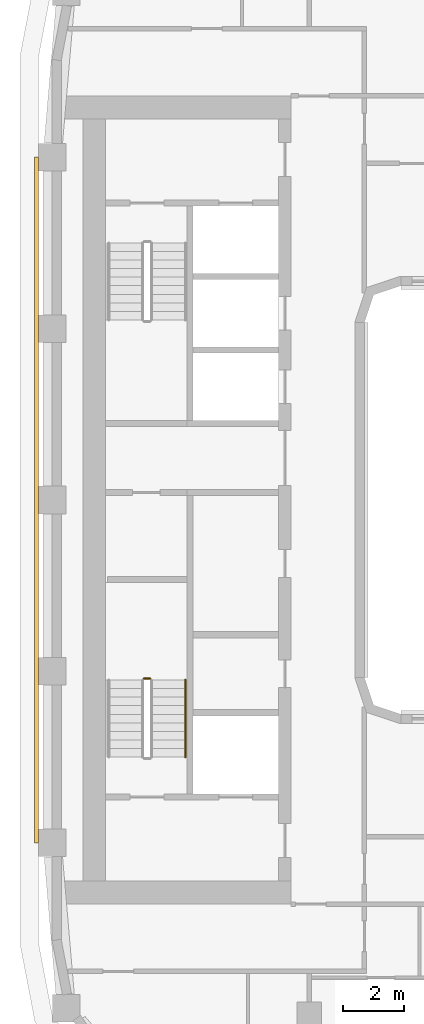
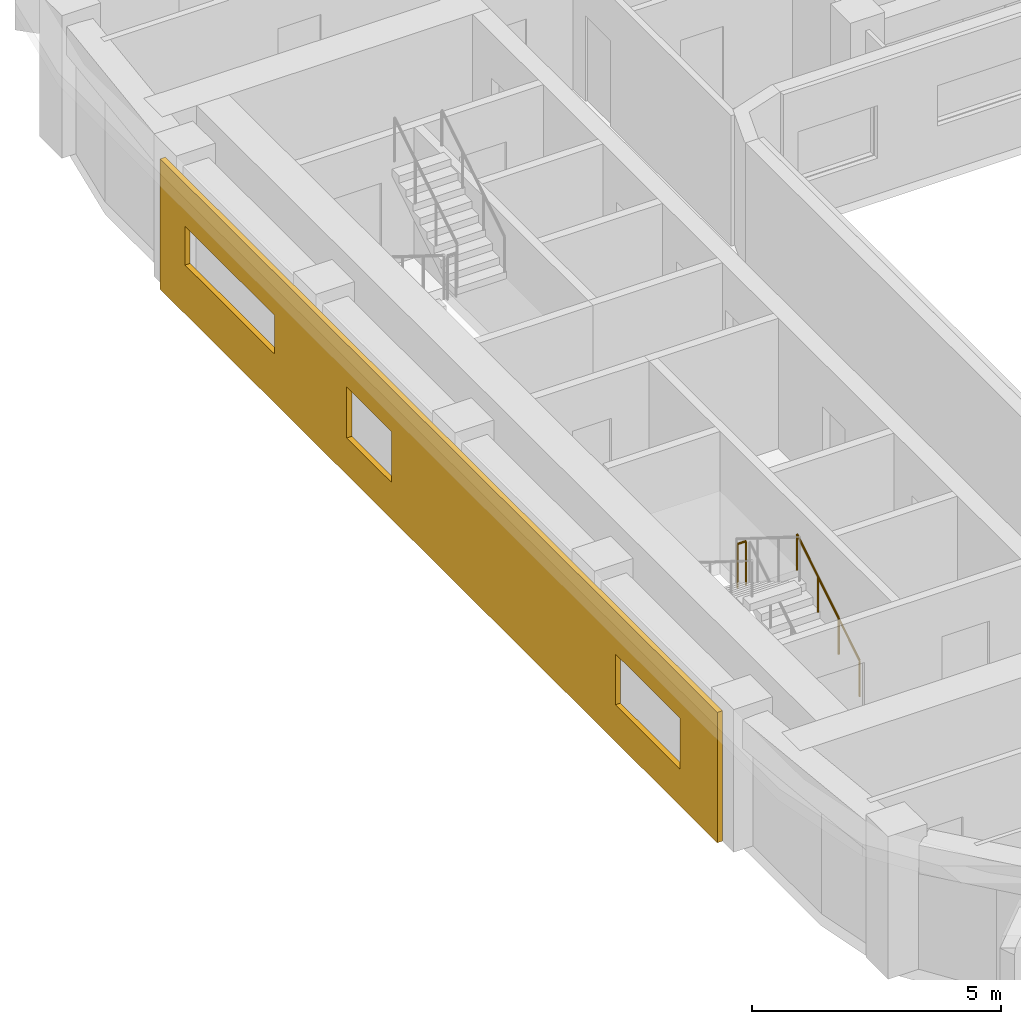
# One storey, part 12 of 21: 2 railings, 1 covering.
"""IFC4 building model written with IfcOpenShell, lengths in metres."""

from ifc_helpers import new_model, si_unit, direction, frame, origin, origin_2d, place, context, subcontext, project, spatial, polyline, circle, outline, extrude, material, layer, layer_set, type_object, element, save


model = new_model("IFC4")

# Units and contexts
model_context = context("Model", 3, precision=1e-05, world=origin(), true_north=direction((0.0, 1.0)))
body_context = subcontext(model_context, "Body", "Model", "MODEL_VIEW")
ifc_project = project(units=[si_unit("LENGTHUNIT", "METRE"), si_unit("AREAUNIT", "SQUARE_METRE"), si_unit("VOLUMEUNIT", "CUBIC_METRE"), si_unit("PLANEANGLEUNIT", "RADIAN"), si_unit("MASSUNIT", "GRAM", prefix="KILO")], contexts=[model_context])

# Site, building, storey
site_placement = place(None, origin())
site = spatial("IfcSite", under=ifc_project, at=site_placement, CompositionType="ELEMENT")
building_placement = place(site_placement, origin())
building = spatial("IfcBuilding", under=site, at=building_placement, Name="Kiln Ring Residences", CompositionType="ELEMENT")
storey_placement = place(building_placement, frame((0.0, 0.0, 192.39990234375)))
storey = spatial("IfcBuildingStorey", under=building, at=storey_placement, Name="L49", CompositionType="ELEMENT", Elevation=192.39990234375)

# Railings
ifc_material_1 = material(Name="Stainless steel", Category="steel")
railing_type_1 = type_object("IfcRailingType", Name="CORE-STAIR-GUARD", PredefinedType="GUARDRAIL", material=ifc_material_1)
railing_1_placement = place(storey_placement, frame((-22.0, -5.830078125, 1.75)))
element("IfcRailing", 1, at=railing_1_placement, inside=storey, type_object=railing_type_1, Name="L49 W-STS stair guard 2", PredefinedType="GUARDRAIL", context=body_context, shape_type="SweptSolid", body=[
    extrude(circle(Radius=0.02392578125, at=origin_2d()), frame((0.0, 0.0, 1.076171875), z_axis=(-1.0, 0.0, 0.0), x_axis=(0.0, -1.0, 0.0)), (0.0, 0.0, 1.0), 0.199951171875),
    extrude(circle(Radius=0.02099609375, at=origin_2d()), origin(), (0.0, 0.0, 1.0), 1.052001953125),
    extrude(circle(Radius=0.02099609375, at=origin_2d()), frame((-0.199951171875, 0.0, 0.0)), (0.0, 0.0, 1.0), 1.052001953125),
])
ifc_material_2 = material(Name="Stainless steel", Category="steel")
railing_type_2 = type_object("IfcRailingType", Name="CORE-STAIR-HANDRAIL", PredefinedType="HANDRAIL", material=ifc_material_2)
railing_2_placement = place(storey_placement, frame((-20.85009765625, -8.39990234375, 0.175048828125)))
element("IfcRailing", 2, at=railing_2_placement, inside=storey, type_object=railing_type_2, Name="L49 W-STS stair handrail 1", PredefinedType="HANDRAIL", context=body_context, shape_type="SweptSolid", body=[
    extrude(circle(Radius=0.02392578125, at=origin_2d()), frame((0.0, 0.0, 0.8759765625), z_axis=(0.0, 0.848007534815, 0.529984170421), x_axis=(-1.0, 0.0, 0.0)), (0.0, 0.0, 1.0), 2.9716796875),
    extrude(circle(Radius=0.02099609375, at=origin_2d()), origin(), (0.0, 0.0, 1.0), 0.851806640625),
    extrude(circle(Radius=0.02099609375, at=origin_2d()), frame((0.0, 0.840087890625, 0.52490234375)), (0.0, 0.0, 1.0), 0.851806640625),
    extrude(circle(Radius=0.02099609375, at=origin_2d()), frame((0.0, 1.679931640625, 1.050048828125)), (0.0, 0.0, 1.0), 0.851806640625),
    extrude(circle(Radius=0.02099609375, at=origin_2d()), frame((0.0, 2.52001953125, 1.574951171875)), (0.0, 0.0, 1.0), 0.851806640625),
])

# Covering
ifc_material_3 = material(Name="Brick masonry, dark clay brick", Category="masonry")
ifc_layer = layer(ifc_material_3, 0.1201171875)
ifc_layer_set = layer_set([ifc_layer], Name="RAINSCREEN PANEL 120")
covering_type = type_object("IfcCoveringType", Name="RAINSCREEN PANEL 120", PredefinedType="CLADDING", material=ifc_layer_set)
covering_placement = place(storey_placement, frame((-25.7099609375, 11.199951171875, 0.0), z_axis=(0.0, 0.0, 1.0), x_axis=(0.0, -1.0, 0.0)))
element("IfcCovering", 3, at=covering_placement, inside=storey, type_object=covering_type, Name="RAINSCREEN L49", PredefinedType="CLADDING", context=body_context, shape_type="SweptSolid", body=[
    extrude(outline(polyline([(0.0, 0.0), (22.39990234375, 0.0), (22.39990234375, 3.2001953125), (0.0, 3.2001953125), (0.0, 0.0)]), holes=[polyline([(9.300048828125, 2.150146484375), (7.5, 2.150146484375), (7.5, 0.900146484375), (9.300048828125, 0.900146484375), (9.300048828125, 2.150146484375)]), polyline([(20.89990234375, 0.900146484375), (20.89990234375, 2.150146484375), (18.300048828125, 2.150146484375), (18.300048828125, 0.900146484375), (20.89990234375, 0.900146484375)]), polyline([(4.60009765625, 1.2001953125), (4.60009765625, 2.150146484375), (1.0, 2.150146484375), (1.0, 1.2001953125), (4.60009765625, 1.2001953125)])]), frame((0.0, 0.06005859375, 0.0), z_axis=(0.0, -1.0, 0.0), x_axis=(1.0, 0.0, 0.0)), (0.0, 0.0, 1.0), 0.1201171875),
])

save(model, "model.ifc")
